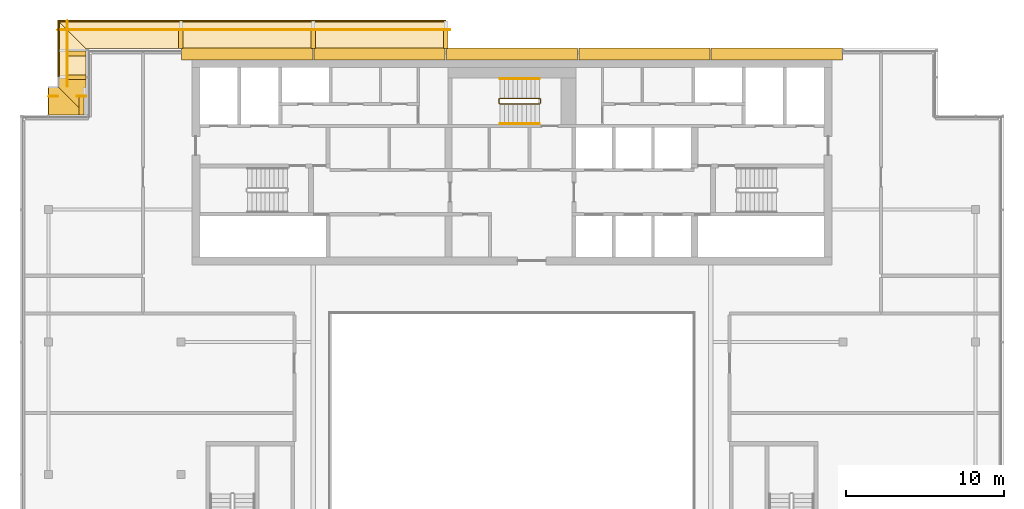
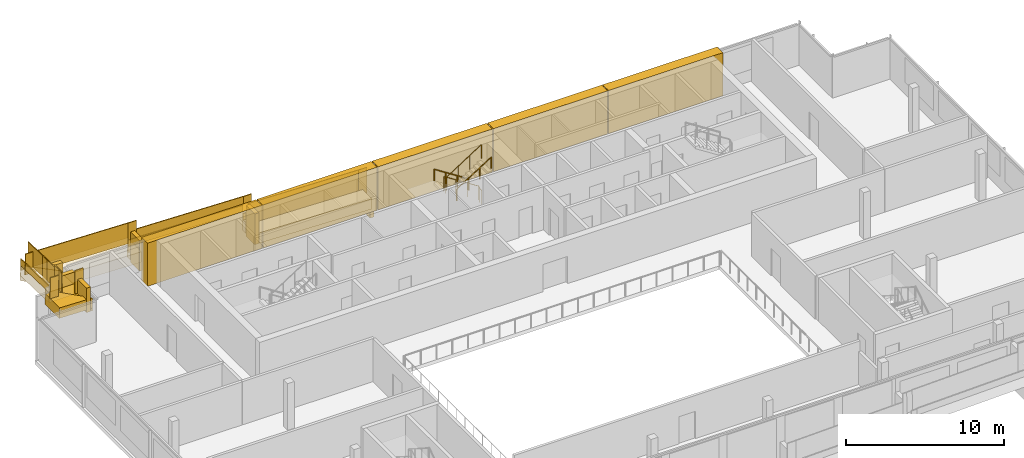
# One storey, part 19 of 21: 21 coverings, 15 railings.
"""IFC4 building model written with IfcOpenShell, lengths in metres."""

from ifc_helpers import new_model, si_unit, direction, frame, origin, origin_2d, place, context, subcontext, project, spatial, polyline, rectangle, circle, outline, extrude, material, layer, layer_set, type_object, element, save


model = new_model("IFC4")

# Units and contexts
model_context = context("Model", 3, precision=1e-05, world=origin(), true_north=direction((0.0, 1.0)))
body_context = subcontext(model_context, "Body", "Model", "MODEL_VIEW")
ifc_project = project(units=[si_unit("LENGTHUNIT", "METRE"), si_unit("AREAUNIT", "SQUARE_METRE"), si_unit("VOLUMEUNIT", "CUBIC_METRE"), si_unit("PLANEANGLEUNIT", "RADIAN"), si_unit("MASSUNIT", "GRAM", prefix="KILO")], contexts=[model_context])

# Site, building, storey
site_placement = place(None, origin())
site = spatial("IfcSite", under=ifc_project, at=site_placement, CompositionType="ELEMENT")
building_placement = place(site_placement, origin())
building = spatial("IfcBuilding", under=site, at=building_placement, Name="Saffron Gate Tower", CompositionType="ELEMENT")
storey_placement = place(building_placement, frame((0.0, 0.0, 299.550048828125)))
storey = spatial("IfcBuildingStorey", under=building, at=storey_placement, Name="L73", CompositionType="ELEMENT", Elevation=299.550048828125)

# Coverings
ifc_material_1 = material(Name="Ceramic-printed bronze insulated panel")
ifc_layer_1 = layer(ifc_material_1, 0.739990234375)
ifc_layer_set_1 = layer_set([ifc_layer_1], Name="CLD5 ceramic-printed cladding panel 740")
covering_type_1 = type_object("IfcCoveringType", Name="CLD5 ceramic-printed cladding panel 740", PredefinedType="CLADDING", material=ifc_layer_set_1)
covering_1_placement = place(storey_placement, origin())
element("IfcCovering", 1, at=covering_1_placement, inside=storey, type_object=covering_type_1, Name="CLADDING ceramic-printed panel", PredefinedType="CLADDING", context=body_context, shape_type="SweptSolid", body=[
    extrude(outline(polyline([(108.56494140625, 75.639892578125), (100.235107421875, 75.639892578125), (100.235107421875, 74.89990234375), (108.56494140625, 74.89990234375), (108.56494140625, 75.639892578125)])), origin(), (0.0, 0.0, 1.0), 3.320068359375),
])
covering_2_placement = place(storey_placement, origin())
element("IfcCovering", 2, at=covering_2_placement, inside=storey, type_object=covering_type_1, Name="CLADDING ceramic-printed panel", PredefinedType="CLADDING", context=body_context, shape_type="SweptSolid", body=[
    extrude(outline(polyline([(100.1650390625, 75.639892578125), (91.8349609375, 75.639892578125), (91.8349609375, 74.89990234375), (100.1650390625, 74.89990234375), (100.1650390625, 75.639892578125)])), origin(), (0.0, 0.0, 1.0), 3.320068359375),
])
covering_3_placement = place(storey_placement, origin())
element("IfcCovering", 3, at=covering_3_placement, inside=storey, type_object=covering_type_1, Name="CLADDING ceramic-printed panel", PredefinedType="CLADDING", context=body_context, shape_type="SweptSolid", body=[
    extrude(outline(polyline([(91.764892578125, 75.639892578125), (83.43505859375, 75.639892578125), (83.43505859375, 74.89990234375), (91.764892578125, 74.89990234375), (91.764892578125, 75.639892578125)])), origin(), (0.0, 0.0, 1.0), 3.320068359375),
])
covering_4_placement = place(storey_placement, origin())
element("IfcCovering", 4, at=covering_4_placement, inside=storey, type_object=covering_type_1, Name="CLADDING ceramic-printed panel", PredefinedType="CLADDING", context=body_context, shape_type="SweptSolid", body=[
    extrude(outline(polyline([(83.364990234375, 75.639892578125), (75.034912109375, 75.639892578125), (75.034912109375, 74.89990234375), (83.364990234375, 74.89990234375), (83.364990234375, 75.639892578125)])), origin(), (0.0, 0.0, 1.0), 3.320068359375),
])
covering_5_placement = place(storey_placement, origin())
element("IfcCovering", 5, at=covering_5_placement, inside=storey, type_object=covering_type_1, Name="CLADDING ceramic-printed panel", PredefinedType="CLADDING", context=body_context, shape_type="SweptSolid", body=[
    extrude(outline(polyline([(74.965087890625, 75.639892578125), (66.635009765625, 75.639892578125), (66.635009765625, 74.89990234375), (74.965087890625, 74.89990234375), (74.965087890625, 75.639892578125)])), origin(), (0.0, 0.0, 1.0), 3.320068359375),
])

# Railings
ifc_material_2 = material(Name="Stainless steel and laminated glass", Category="steel")
railing_type_1 = type_object("IfcRailingType", Name="CR1 Stair guard 1100", PredefinedType="GUARDRAIL", material=ifc_material_2)
railing_1_placement = place(storey_placement, frame((89.39990234375, 72.14990234375, 0.0)))
element("IfcRailing", 6, at=railing_1_placement, inside=storey, type_object=railing_type_1, Name="L73 ST-C stair guard 1", PredefinedType="GUARDRAIL", context=body_context, shape_type="SweptSolid", body=[
    extrude(circle(Radius=0.02392578125, at=origin_2d()), frame((0.0, 0.0, 1.076171875), z_axis=(0.0, 1.0, 0.0), x_axis=(-1.0, 0.0, 0.0)), (0.0, 0.0, 1.0), 0.25),
    extrude(circle(Radius=0.02392578125, at=origin_2d()), frame((0.0, 0.25, 1.076171875), z_axis=(-0.257669022063, 0.258932105505, 0.930892496375), x_axis=(-0.708833529934, -0.705375805398, 0.0)), (0.0, 0.0, 1.0), 0.193359375),
    extrude(circle(Radius=0.02392578125, at=origin_2d()), frame((-0.0498046875, 0.300048828125, 1.255859375), z_axis=(-0.841162588446, 0.0, 0.540782303519), x_axis=(0.0, -1.0, 0.0)), (0.0, 0.0, 1.0), 2.995849609375),
    extrude(circle(Radius=0.02392578125, at=origin_2d()), frame((-2.56982421875, 0.300048828125, 2.8759765625), z_axis=(-0.707106781187, -0.707106781187, 0.0), x_axis=(0.707106781187, -0.707106781187, 0.0)), (0.0, 0.0, 1.0), 0.07080078125),
    extrude(circle(Radius=0.02392578125, at=origin_2d()), frame((-2.619873046875, 0.25, 2.8759765625), z_axis=(0.0, -1.0, 0.0), x_axis=(1.0, 0.0, 0.0)), (0.0, 0.0, 1.0), 0.25),
    extrude(circle(Radius=0.02392578125, at=origin_2d()), frame((-2.619873046875, 0.0, 2.8759765625), z_axis=(0.258932105505, -0.257669022063, 0.930892496375), x_axis=(0.705375805398, 0.708833529934, 0.0)), (0.0, 0.0, 1.0), 0.193359375),
    extrude(circle(Radius=0.02392578125, at=origin_2d()), frame((-2.56982421875, -0.0498046875, 3.05615234375), z_axis=(0.841199657755, 0.0, 0.540724639528), x_axis=(0.0, 1.0, 0.0)), (0.0, 0.0, 1.0), 2.995849609375),
    extrude(circle(Radius=0.02099609375, at=origin_2d()), origin(), (0.0, 0.0, 1.0), 1.052001953125),
    extrude(circle(Radius=0.02099609375, at=origin_2d()), frame((0.0, 0.25, 0.0)), (0.0, 0.0, 1.0), 1.052001953125),
    extrude(circle(Radius=0.02099609375, at=origin_2d()), frame((-0.0498046875, 0.300048828125, 0.179931640625)), (0.0, 0.0, 1.0), 1.052001953125),
    extrude(circle(Radius=0.02099609375, at=origin_2d()), frame((-0.889892578125, 0.300048828125, 0.719970703125)), (0.0, 0.0, 1.0), 1.052001953125),
    extrude(circle(Radius=0.02099609375, at=origin_2d()), frame((-1.729736328125, 0.300048828125, 1.260009765625)), (0.0, 0.0, 1.0), 1.052001953125),
    extrude(circle(Radius=0.02099609375, at=origin_2d()), frame((-2.56982421875, 0.300048828125, 1.800048828125)), (0.0, 0.0, 1.0), 1.052001953125),
    extrude(circle(Radius=0.02099609375, at=origin_2d()), frame((-2.619873046875, 0.25, 1.800048828125)), (0.0, 0.0, 1.0), 1.052001953125),
    extrude(circle(Radius=0.02099609375, at=origin_2d()), frame((-2.619873046875, 0.0, 1.800048828125)), (0.0, 0.0, 1.0), 1.052001953125),
    extrude(circle(Radius=0.02099609375, at=origin_2d()), frame((-2.56982421875, -0.0498046875, 1.97998046875)), (0.0, 0.0, 1.0), 1.052001953125),
    extrude(circle(Radius=0.02099609375, at=origin_2d()), frame((-1.729736328125, -0.0498046875, 2.52001953125)), (0.0, 0.0, 1.0), 1.052001953125),
    extrude(circle(Radius=0.02099609375, at=origin_2d()), frame((-0.889892578125, -0.0498046875, 3.059814453125)), (0.0, 0.0, 1.0), 1.052001953125),
    extrude(circle(Radius=0.02099609375, at=origin_2d()), frame((-0.0498046875, -0.0498046875, 3.599853515625)), (0.0, 0.0, 1.0), 1.052001953125),
])
ifc_material_3 = material(Name="Stainless steel", Category="steel")
railing_type_2 = type_object("IfcRailingType", Name="CR2 Stair handrail 900", PredefinedType="HANDRAIL", material=ifc_material_3)
railing_2_placement = place(storey_placement, frame((89.35009765625, 73.699951171875, 0.179931640625)))
element("IfcRailing", 7, at=railing_2_placement, inside=storey, type_object=railing_type_2, Name="L73 ST-C stair handrail 1", PredefinedType="HANDRAIL", context=body_context, shape_type="SweptSolid", body=[
    extrude(circle(Radius=0.02392578125, at=origin_2d()), frame((0.0, 0.0, 0.8759765625), z_axis=(-0.841162588446, 0.0, 0.540782303519), x_axis=(0.0, -1.0, 0.0)), (0.0, 0.0, 1.0), 2.995849609375),
    extrude(circle(Radius=0.02099609375, at=origin_2d()), origin(), (0.0, 0.0, 1.0), 0.851806640625),
    extrude(circle(Radius=0.02099609375, at=origin_2d()), frame((-0.840087890625, 0.0, 0.5400390625)), (0.0, 0.0, 1.0), 0.851806640625),
    extrude(circle(Radius=0.02099609375, at=origin_2d()), frame((-1.679931640625, 0.0, 1.080078125)), (0.0, 0.0, 1.0), 0.851806640625),
    extrude(circle(Radius=0.02099609375, at=origin_2d()), frame((-2.52001953125, 0.0, 1.6201171875)), (0.0, 0.0, 1.0), 0.851806640625),
])
railing_3_placement = place(storey_placement, frame((86.830078125, 70.85009765625, 1.97998046875)))
element("IfcRailing", 8, at=railing_3_placement, inside=storey, type_object=railing_type_2, Name="L73 ST-C stair handrail 2", PredefinedType="HANDRAIL", context=body_context, shape_type="SweptSolid", body=[
    extrude(circle(Radius=0.02392578125, at=origin_2d()), frame((0.0, 0.0, 0.8759765625), z_axis=(0.841199657755, 0.0, 0.540724639528), x_axis=(0.0, 1.0, 0.0)), (0.0, 0.0, 1.0), 2.995849609375),
    extrude(circle(Radius=0.02099609375, at=origin_2d()), origin(), (0.0, 0.0, 1.0), 0.851806640625),
    extrude(circle(Radius=0.02099609375, at=origin_2d()), frame((0.840087890625, 0.0, 0.5400390625)), (0.0, 0.0, 1.0), 0.851806640625),
    extrude(circle(Radius=0.02099609375, at=origin_2d()), frame((1.679931640625, 0.0, 1.079833984375)), (0.0, 0.0, 1.0), 0.851806640625),
    extrude(circle(Radius=0.02099609375, at=origin_2d()), frame((2.52001953125, 0.0, 1.619873046875)), (0.0, 0.0, 1.0), 0.851806640625),
])

# Coverings
ifc_material_4 = material(Name="Timber, thermally modified ash", Category="wood")
ifc_layer_2 = layer(ifc_material_4, 0.800048828125)
ifc_layer_set_2 = layer_set([ifc_layer_2], Name="LD1 ledge timber")
covering_type_2 = type_object("IfcCoveringType", Name="LD1 ledge timber", PredefinedType="CLADDING", material=ifc_layer_set_2)
for number, where, z_axis, x_axis, name in (
    (9, (83.39990234375, 75.60009765625, 0.45849609375), (0.028791175352, 0.0, 0.999585448184), (-0.999585448184, 0.0, 0.028791175352), "LEDGE"),
    (10, (75.0, 75.60009765625, 1.35498046875), (0.028791175352, 0.0, 0.999585448184), (-0.999585448184, 0.0, 0.028791175352), "LEDGE"),
):
    element("IfcCovering", number, at=place(storey_placement, frame(where, z_axis=z_axis, x_axis=x_axis)), inside=storey, type_object=covering_type_2, Name=name, PredefinedType="CLADDING", context=body_context, shape_type="SweptSolid", body=[
        extrude(outline(polyline([(0.0, 0.0), (8.403385982666892, 0.0), (8.403385982666892, -1.7998046875), (0.0, -1.7998046875), (0.0, 0.0)])), origin(), (0.0, 0.0, -1.0), 0.800048828125),
    ])
covering_6_placement = place(storey_placement, frame((66.60009765625, 75.60009765625, 2.25146484375), z_axis=(0.028789477025, 2.3920834e-05, 0.999585496814), x_axis=(-0.9995854971, -1.72e-10, 0.028789477033)))
element("IfcCovering", 11, at=covering_6_placement, inside=storey, type_object=covering_type_2, Name="LEDGE", PredefinedType="CLADDING", context=body_context, shape_type="SweptSolid", body=[
    extrude(outline(polyline([(0.0, 0.0), (6.002489288687248, 8.470329472543003e-22), (7.80328207139786, -1.7998046893537554), (-3.087962377470193e-10, -1.7998046869850703), (0.0, 0.0)])), origin(), (0.0, 0.0, -1.0), 0.800048828125),
])
covering_7_placement = place(storey_placement, frame((60.60009765625, 75.60009765625, 2.8916015625), z_axis=(4.3887651e-05, 0.028833291474, 0.999584233257), x_axis=(-1.925e-09, -0.99958423422, 0.028833291502)))
element("IfcCovering", 12, at=covering_7_placement, inside=storey, type_object=covering_type_2, Name="LEDGE", PredefinedType="CLADDING", context=body_context, shape_type="SweptSolid", body=[
    extrude(outline(polyline([(0.0, 0.0), (1.8007998168930421, 4.235164736271502e-22), (1.8007998203587168, -1.8000488263914396), (-1.8005487349298768, -1.8000488367923182), (0.0, 0.0)])), origin(), (0.0, 0.0, -1.0), 0.800048828125),
])
covering_8_placement = place(storey_placement, frame((60.60009765625, 73.800048828125, 3.083740234375), z_axis=(2.6333678e-05, 0.028794305201, 0.999585357683), x_axis=(5.2e-10, -0.99958535803, 0.028794305211)))
element("IfcCovering", 13, at=covering_8_placement, inside=storey, type_object=covering_type_2, Name="LEDGE", PredefinedType="CLADDING", context=body_context, shape_type="SweptSolid", body=[
    extrude(outline(polyline([(0.0, 0.0), (2.401140733194568, 0.0), (0.6003479496762917, -1.8000488290612322), (-9.357805408281585e-10, -1.8000488275008664), (0.0, 0.0)])), origin(), (0.0, 0.0, -1.0), 0.800048828125),
])
covering_9_placement = place(storey_placement, frame((60.60009765625, 71.39990234375, 3.33984375), z_axis=(0.028713032424, -8.2123318e-05, 0.999587692514), x_axis=(-0.999587695884, 5.056e-09, 0.028713032521)))
element("IfcCovering", 14, at=covering_9_placement, inside=storey, type_object=covering_type_2, Name="LEDGE", PredefinedType="CLADDING", context=body_context, shape_type="SweptSolid", body=[
    extrude(outline(polyline([(0.0, 0.0), (2.401140729112013, 0.0), (2.401140738212904, -1.8000488220550201), (1.800799803456976, -1.8000488372302523), (0.0, 0.0)])), origin(), (0.0, 0.0, -1.0), 0.800048828125),
])
ifc_layer_3 = layer(ifc_material_4, 0.080078125)
ifc_layer_set_3 = layer_set([ifc_layer_3], Name="LD2 ledge planter trough")
covering_type_3 = type_object("IfcCoveringType", Name="LD2 ledge planter trough", PredefinedType="CLADDING", material=ifc_layer_set_3)
for number, where, z_axis, x_axis, name in (
    (15, (83.39990234375, 77.39990234375, 0.45849609375), (0.0, 1.0, 0.0), (-0.999585448184, 0.0, 0.028791175352), "LEDGE planter trough"),
    (16, (75.0, 77.39990234375, 1.35498046875), (0.0, 1.0, 0.0), (-0.999585448184, 0.0, 0.028791175352), "LEDGE planter trough"),
):
    element("IfcCovering", number, at=place(storey_placement, frame(where, z_axis=z_axis, x_axis=x_axis)), inside=storey, type_object=covering_type_3, Name=name, PredefinedType="CLADDING", context=body_context, shape_type="SweptSolid", body=[
        extrude(outline(polyline([(0.0, 0.0), (8.403385982666892, 0.0), (8.417781570342743, 0.49979272409216496), (0.014395587675851172, 0.4997927240921649), (0.0, 0.0)])), origin(), (0.0, 0.0, -1.0), 0.080078125),
    ])
covering_10_placement = place(storey_placement, frame((66.60009765625, 77.39990234375, 2.25146484375), z_axis=(0.0, 1.0, 0.0), x_axis=(-0.999585655924, 0.0, 0.028783962047)))
element("IfcCovering", 17, at=covering_10_placement, inside=storey, type_object=covering_type_3, Name="LEDGE planter trough", PredefinedType="CLADDING", context=body_context, shape_type="SweptSolid", body=[
    extrude(outline(polyline([(0.0, 0.0), (7.803282071825423, 2.7755575615628914e-17), (7.817674052849086, 0.4997928279619612), (0.014391981023662846, 0.4997928279619612), (0.0, 0.0)])), origin(), (0.0, 0.0, -1.0), 0.080078125),
])
covering_11_placement = place(storey_placement, frame((58.800048828125, 77.39990234375, 2.83984375), z_axis=(-1.0, 0.0, 0.0), x_axis=(0.0, -0.999584866472, 0.028811364412)))
element("IfcCovering", 18, at=covering_11_placement, inside=storey, type_object=covering_type_3, Name="LEDGE planter trough", PredefinedType="CLADDING", context=body_context, shape_type="SweptSolid", body=[
    extrude(outline(polyline([(0.0, 0.0), (3.601348556155073, 0.0), (3.6157542383609322, 0.49979243323622236), (0.01440568220585924, 0.49979243323622236), (0.0, 0.0)])), origin(), (0.0, 0.0, -1.0), 0.080078125),
])
ifc_layer_4 = layer(ifc_material_4, 0.300048828125)
ifc_layer_set_4 = layer_set([ifc_layer_4], Name="LD3 ledge riser fin")
covering_type_4 = type_object("IfcCoveringType", Name="LD3 ledge riser fin", PredefinedType="CLADDING", material=ifc_layer_set_4)
for number, where, z_axis, x_axis, name in (
    (19, (83.39990234375, 76.159912109375, -0.995849609375), (0.0, 0.0, 1.0), (-1.0, 0.0, 0.0), "LEDGE riser fin"),
    (20, (75.0, 76.159912109375, -0.099609375), (0.0, 0.0, 1.0), (-1.0, 0.0, 0.0), "LEDGE riser fin"),
    (21, (66.60009765625, 76.159912109375, 0.796875), (0.0, 0.0, 1.0), (-1.0, 0.0, 0.0), "LEDGE riser fin"),
):
    element("IfcCovering", number, at=place(storey_placement, frame(where, z_axis=z_axis, x_axis=x_axis)), inside=storey, type_object=covering_type_4, Name=name, PredefinedType="CLADDING", context=body_context, shape_type="SweptSolid", body=[
        extrude(rectangle(XDim=0.300048828125, YDim=1.1201171875, at=origin_2d()), origin(), (0.0, 0.0, 1.0), 2.3544921875),
    ])
covering_12_placement = place(storey_placement, frame((60.0400390625, 75.300048828125, 1.624267578125), z_axis=(0.0, 0.0, 1.0), x_axis=(0.0, -1.0, 0.0)))
element("IfcCovering", 22, at=covering_12_placement, inside=storey, type_object=covering_type_4, Name="LEDGE riser fin", PredefinedType="CLADDING", context=body_context, shape_type="SweptSolid", body=[
    extrude(rectangle(XDim=0.300048828125, YDim=1.1201171875, at=origin_2d()), origin(), (0.0, 0.0, 1.0), 2.16748046875),
])
covering_13_placement = place(storey_placement, frame((60.0400390625, 73.800048828125, 2.1435546875), z_axis=(0.0, 0.0, 1.0), x_axis=(0.0, -1.0, 0.0)))
element("IfcCovering", 23, at=covering_13_placement, inside=storey, type_object=covering_type_4, Name="LEDGE riser fin", PredefinedType="CLADDING", context=body_context, shape_type="SweptSolid", body=[
    extrude(rectangle(XDim=0.300048828125, YDim=1.1201171875, at=origin_2d()), origin(), (0.0, 0.0, 1.0), 1.84033203125),
])
covering_14_placement = place(storey_placement, frame((60.300048828125, 71.9599609375, 2.35302734375), z_axis=(0.0, 0.0, 1.0), x_axis=(-1.0, 0.0, 0.0)))
element("IfcCovering", 24, at=covering_14_placement, inside=storey, type_object=covering_type_4, Name="LEDGE riser fin", PredefinedType="CLADDING", context=body_context, shape_type="SweptSolid", body=[
    extrude(rectangle(XDim=0.300048828125, YDim=1.1201171875, at=origin_2d()), origin(), (0.0, 0.0, 1.0), 1.886962890625),
])

# Railings
railing_type_3 = type_object("IfcRailingType", Name="LG1 ledge balustrade", PredefinedType="BALUSTRADE", material=ifc_material_4)
railing_4_placement = place(storey_placement, frame((83.39990234375, 76.800048828125, 0.45849609375)))
element("IfcRailing", 25, at=railing_4_placement, inside=storey, type_object=railing_type_3, Name="LEDGE BALUSTRADE", PredefinedType="BALUSTRADE", context=body_context, shape_type="SweptSolid", body=[
    extrude(rectangle(XDim=0.06005859375, YDim=1.60009765625, at=origin_2d()), frame((0.0, 0.0, 0.800048828125), z_axis=(-0.999585448184, 0.0, 0.028791175352), x_axis=(0.0, -1.0, 0.0)), (0.0, 0.0, 1.0), 8.4033203125),
])
railing_5_placement = place(storey_placement, frame((83.699951171875, 76.800048828125, -0.19580078125)))
element("IfcRailing", 26, at=railing_5_placement, inside=storey, type_object=railing_type_3, Name="LEDGE BALUSTRADE", PredefinedType="BALUSTRADE", context=body_context, shape_type="SweptSolid", body=[
    extrude(rectangle(XDim=0.06005859375, YDim=2.25439453125, at=origin_2d()), frame((0.0, 0.0, 1.127197265625), z_axis=(-1.0, 0.0, 0.0), x_axis=(0.0, -1.0, 0.0)), (0.0, 0.0, 1.0), 0.599853515625),
])
railing_6_placement = place(storey_placement, frame((75.0, 76.800048828125, 1.35498046875)))
element("IfcRailing", 27, at=railing_6_placement, inside=storey, type_object=railing_type_3, Name="LEDGE BALUSTRADE", PredefinedType="BALUSTRADE", context=body_context, shape_type="SweptSolid", body=[
    extrude(rectangle(XDim=0.06005859375, YDim=1.60009765625, at=origin_2d()), frame((0.0, 0.0, 0.800048828125), z_axis=(-0.999585448184, 0.0, 0.028791175352), x_axis=(0.0, -1.0, 0.0)), (0.0, 0.0, 1.0), 8.4033203125),
])
railing_7_placement = place(storey_placement, frame((75.300048828125, 76.800048828125, 0.700439453125)))
element("IfcRailing", 28, at=railing_7_placement, inside=storey, type_object=railing_type_3, Name="LEDGE BALUSTRADE", PredefinedType="BALUSTRADE", context=body_context, shape_type="SweptSolid", body=[
    extrude(rectangle(XDim=0.06005859375, YDim=2.25439453125, at=origin_2d()), frame((0.0, 0.0, 1.127197265625), z_axis=(-1.0, 0.0, 0.0), x_axis=(0.0, -1.0, 0.0)), (0.0, 0.0, 1.0), 0.60009765625),
])
railing_8_placement = place(storey_placement, frame((66.60009765625, 76.800048828125, 2.25146484375)))
element("IfcRailing", 29, at=railing_8_placement, inside=storey, type_object=railing_type_3, Name="LEDGE BALUSTRADE", PredefinedType="BALUSTRADE", context=body_context, shape_type="SweptSolid", body=[
    extrude(rectangle(XDim=0.06005859375, YDim=1.60009765625, at=origin_2d()), frame((0.0, 0.0, 0.800048828125), z_axis=(-0.999585655924, 0.0, 0.028783962047), x_axis=(0.0, -1.0, 0.0)), (0.0, 0.0, 1.0), 7.80322265625),
])
railing_9_placement = place(storey_placement, frame((66.89990234375, 76.800048828125, 1.596923828125)))
element("IfcRailing", 30, at=railing_9_placement, inside=storey, type_object=railing_type_3, Name="LEDGE BALUSTRADE", PredefinedType="BALUSTRADE", context=body_context, shape_type="SweptSolid", body=[
    extrude(rectangle(XDim=0.06005859375, YDim=2.25439453125, at=origin_2d()), frame((0.0, 0.0, 1.127197265625), z_axis=(-1.0, 0.0, 0.0), x_axis=(0.0, -1.0, 0.0)), (0.0, 0.0, 1.0), 0.599853515625),
])
railing_10_placement = place(storey_placement, frame((59.39990234375, 77.39990234375, 2.83984375)))
element("IfcRailing", 31, at=railing_10_placement, inside=storey, type_object=railing_type_3, Name="LEDGE BALUSTRADE", PredefinedType="BALUSTRADE", context=body_context, shape_type="SweptSolid", body=[
    extrude(rectangle(XDim=0.06005859375, YDim=1.60009765625, at=origin_2d()), frame((0.0, 0.0, 0.800048828125), z_axis=(0.0, -0.999584866472, 0.028811364412), x_axis=(1.0, 0.0, 0.0)), (0.0, 0.0, 1.0), 3.601318359375),
])
railing_11_placement = place(storey_placement, frame((59.39990234375, 75.60009765625, 2.42431640625)))
element("IfcRailing", 32, at=railing_11_placement, inside=storey, type_object=railing_type_3, Name="LEDGE BALUSTRADE", PredefinedType="BALUSTRADE", context=body_context, shape_type="SweptSolid", body=[
    extrude(rectangle(XDim=0.06005859375, YDim=2.0673828125, at=origin_2d()), frame((0.0, 0.0, 1.03369140625), z_axis=(0.0, -1.0, 0.0), x_axis=(1.0, 0.0, 0.0)), (0.0, 0.0, 1.0), 0.60009765625),
])
railing_12_placement = place(storey_placement, frame((59.39990234375, 73.800048828125, 3.083740234375)))
element("IfcRailing", 33, at=railing_12_placement, inside=storey, type_object=railing_type_3, Name="LEDGE BALUSTRADE", PredefinedType="BALUSTRADE", context=body_context, shape_type="SweptSolid", body=[
    extrude(rectangle(XDim=0.06005859375, YDim=1.60009765625, at=origin_2d()), frame((0.0, 0.0, 0.800048828125), z_axis=(0.0, -0.999583081391, 0.028873229772), x_axis=(1.0, 0.0, 0.0)), (0.0, 0.0, 1.0), 0.600341796875),
])
railing_13_placement = place(storey_placement, frame((59.39990234375, 74.10009765625, 2.943603515625)))
element("IfcRailing", 34, at=railing_13_placement, inside=storey, type_object=railing_type_3, Name="LEDGE BALUSTRADE", PredefinedType="BALUSTRADE", context=body_context, shape_type="SweptSolid", body=[
    extrude(rectangle(XDim=0.06005859375, YDim=1.740234375, at=origin_2d()), frame((0.0, 0.0, 0.8701171875), z_axis=(0.0, -1.0, 0.0), x_axis=(1.0, 0.0, 0.0)), (0.0, 0.0, 1.0), 0.60009765625),
])
railing_14_placement = place(storey_placement, frame((58.800048828125, 72.60009765625, 3.391845703125)))
element("IfcRailing", 35, at=railing_14_placement, inside=storey, type_object=railing_type_3, Name="LEDGE BALUSTRADE", PredefinedType="BALUSTRADE", context=body_context, shape_type="SweptSolid", body=[
    extrude(rectangle(XDim=0.06005859375, YDim=1.60009765625, at=origin_2d()), frame((0.0, 0.0, 0.800048828125), z_axis=(-0.999594735783, 0.0, 0.028466896463), x_axis=(0.0, -1.0, 0.0)), (0.0, 0.0, 1.0), 0.600341796875),
])
railing_15_placement = place(storey_placement, frame((60.60009765625, 72.60009765625, 3.15283203125)))
element("IfcRailing", 36, at=railing_15_placement, inside=storey, type_object=railing_type_3, Name="LEDGE BALUSTRADE", PredefinedType="BALUSTRADE", context=body_context, shape_type="SweptSolid", body=[
    extrude(rectangle(XDim=0.06005859375, YDim=1.787109375, at=origin_2d()), frame((0.0, 0.0, 0.8935546875), z_axis=(-1.0, 0.0, 0.0), x_axis=(0.0, -1.0, 0.0)), (0.0, 0.0, 1.0), 0.60009765625),
])

save(model, "model.ifc")
